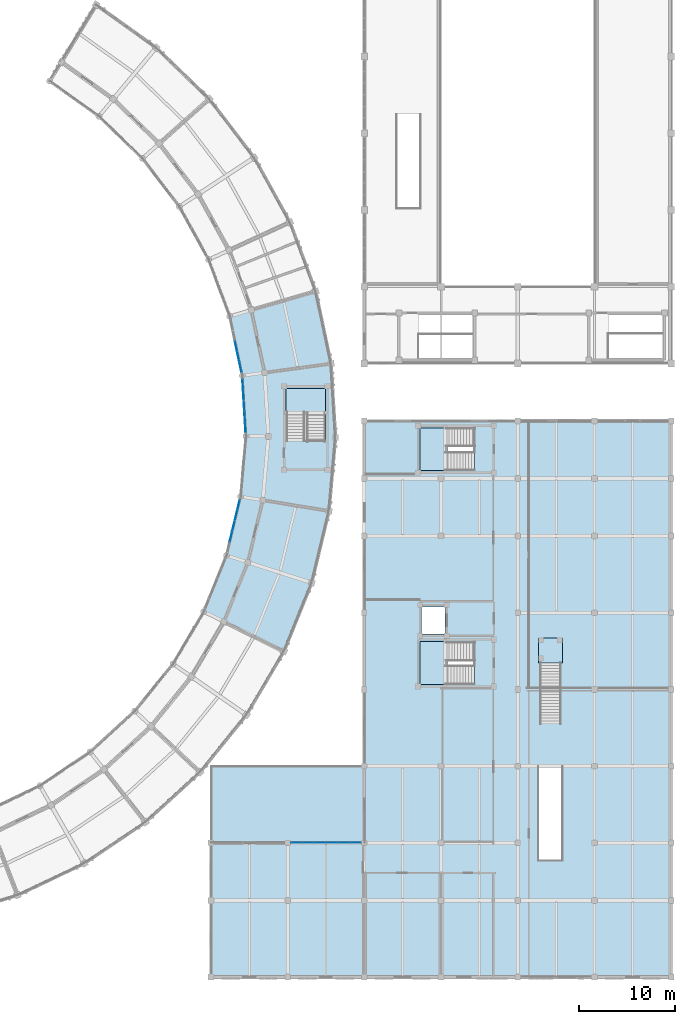
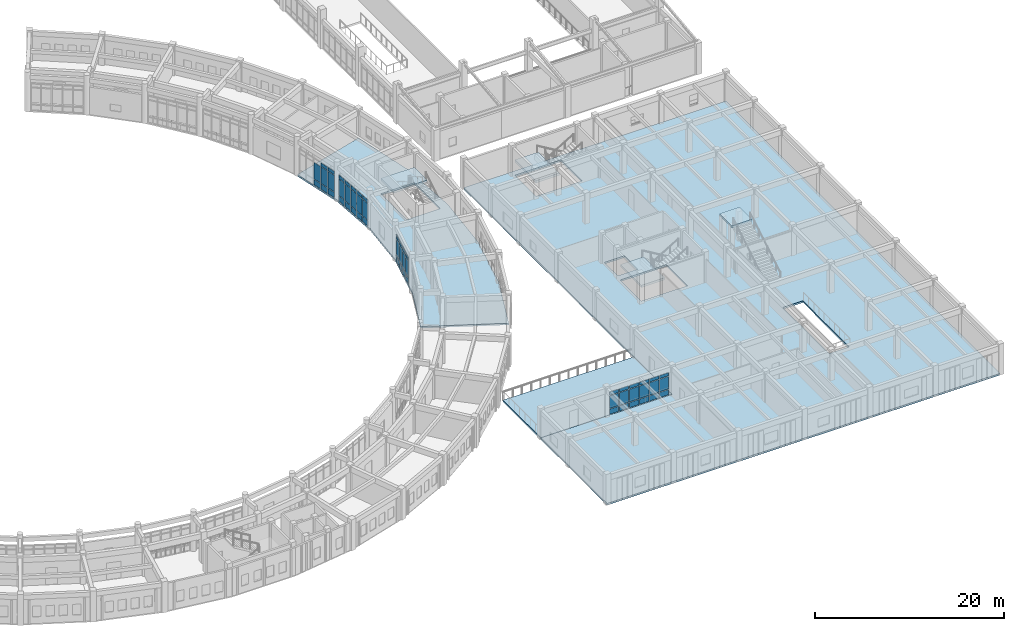
# One storey, part 112 of 159: 53 plates, 7 slabs, 8 elements without a shape of their own.
"""IFC4 building model written with IfcOpenShell, lengths in metres."""

from ifc_helpers import new_model, si_unit, direction, frame, origin, origin_2d, place, context, subcontext, project, spatial, polyline, rectangle, outline, extrude, material, layer, layer_set, type_object, element, aggregate, save


model = new_model("IFC4")

# Units and contexts
model_context = context("Model", 3, precision=1e-05, world=origin(), true_north=direction((0.0, 1.0)))
body_context = subcontext(model_context, "Body", "Model", "MODEL_VIEW")
ifc_project = project(units=[si_unit("LENGTHUNIT", "METRE"), si_unit("AREAUNIT", "SQUARE_METRE"), si_unit("VOLUMEUNIT", "CUBIC_METRE"), si_unit("PLANEANGLEUNIT", "RADIAN"), si_unit("MASSUNIT", "GRAM", prefix="KILO")], contexts=[model_context])

# Site, building, storey
site_placement = place(None, origin())
site = spatial("IfcSite", under=ifc_project, at=site_placement, CompositionType="ELEMENT")
building_placement = place(site_placement, origin())
building = spatial("IfcBuilding", under=site, at=building_placement, Name="Celadon Cloister-Ring School", CompositionType="ELEMENT")
storey_placement = place(building_placement, frame((0.0, 0.0, 4.5)))
storey = spatial("IfcBuildingStorey", under=building, at=storey_placement, Name="L01", CompositionType="ELEMENT", Elevation=4.5)

# Curtain wall, plates
ifc_material_1 = material(Name="Aluminium EN AW-6063 T6", Category="aluminium")
curtain_wall_type_1 = type_object("IfcCurtainWallType", Name="CW-11", PredefinedType="USERDEFINED", material=ifc_material_1)
curtain_wall_1_placement = place(storey_placement, origin())
curtain_wall_1 = element("IfcCurtainWall", 1, at=curtain_wall_1_placement, inside=storey, type_object=curtain_wall_type_1, Name="Curtain Wall 0190", ObjectType="CURTAIN WALL", PredefinedType="USERDEFINED")
ifc_material_2 = material(Name="Tempered laminated insulating glass", Category="glass")
ifc_layer_1 = layer(ifc_material_2, 0.02001953125)
ifc_layer_set_1 = layer_set([ifc_layer_1], Name="Tempered laminated insulating glass")
plate_type_1 = type_object("IfcPlateType", Name="CPN-01", PredefinedType="CURTAIN_PANEL", material=ifc_layer_set_1)
plate_1_placement = place(storey_placement, frame((134.9404296875, 16.0, 0.090087890625), z_axis=(0.0, 0.0, 1.0), x_axis=(1.0, 0.0, 0.0)))
plate_1 = element("IfcPlate", 2, at=plate_1_placement, type_object=plate_type_1, Name="CW-11 panel 1.1", PredefinedType="CURTAIN_PANEL", context=body_context, shape_type="SweptSolid", body=[
    extrude(rectangle(XDim=1.0908203125, YDim=0.02001953125, at=origin_2d()), origin(), (0.0, 0.0, 1.0), 0.6650390625),
])
plate_2_placement = place(storey_placement, frame((134.9404296875, 16.0, 0.8447265625), z_axis=(0.0, 0.0, 1.0), x_axis=(1.0, 0.0, 0.0)))
plate_2 = element("IfcPlate", 3, at=plate_2_placement, type_object=plate_type_1, Name="CW-11 panel 1.2", PredefinedType="CURTAIN_PANEL", context=body_context, shape_type="SweptSolid", body=[
    extrude(rectangle(XDim=1.0908203125, YDim=0.02001953125, at=origin_2d()), origin(), (0.0, 0.0, 1.0), 1.612060546875),
])
plate_3_placement = place(storey_placement, frame((134.9404296875, 16.0, 2.546875), z_axis=(0.0, 0.0, 1.0), x_axis=(1.0, 0.0, 0.0)))
plate_3 = element("IfcPlate", 4, at=plate_3_placement, type_object=plate_type_1, Name="CW-11 panel 1.3", PredefinedType="CURTAIN_PANEL", context=body_context, shape_type="SweptSolid", body=[
    extrude(rectangle(XDim=1.0908203125, YDim=0.02001953125, at=origin_2d()), origin(), (0.0, 0.0, 1.0), 0.4150390625),
])
plate_4_placement = place(storey_placement, frame((136.14990234375, 16.0, 0.090087890625), z_axis=(0.0, 0.0, 1.0), x_axis=(1.0, 0.0, 0.0)))
plate_4 = element("IfcPlate", 5, at=plate_4_placement, type_object=plate_type_1, Name="CW-11 panel 2.1", PredefinedType="CURTAIN_PANEL", context=body_context, shape_type="SweptSolid", body=[
    extrude(rectangle(XDim=1.138427734375, YDim=0.02001953125, at=origin_2d()), origin(), (0.0, 0.0, 1.0), 0.6650390625),
])
plate_5_placement = place(storey_placement, frame((136.14990234375, 16.0, 0.8447265625), z_axis=(0.0, 0.0, 1.0), x_axis=(1.0, 0.0, 0.0)))
plate_5 = element("IfcPlate", 6, at=plate_5_placement, type_object=plate_type_1, Name="CW-11 panel 2.2", PredefinedType="CURTAIN_PANEL", context=body_context, shape_type="SweptSolid", body=[
    extrude(rectangle(XDim=1.138427734375, YDim=0.02001953125, at=origin_2d()), origin(), (0.0, 0.0, 1.0), 1.612060546875),
])
plate_6_placement = place(storey_placement, frame((136.14990234375, 16.0, 2.546875), z_axis=(0.0, 0.0, 1.0), x_axis=(1.0, 0.0, 0.0)))
plate_6 = element("IfcPlate", 7, at=plate_6_placement, type_object=plate_type_1, Name="CW-11 panel 2.3", PredefinedType="CURTAIN_PANEL", context=body_context, shape_type="SweptSolid", body=[
    extrude(rectangle(XDim=1.138427734375, YDim=0.02001953125, at=origin_2d()), origin(), (0.0, 0.0, 1.0), 0.4150390625),
])
plate_7_placement = place(storey_placement, frame((137.38330078125, 16.0, 0.090087890625), z_axis=(0.0, 0.0, 1.0), x_axis=(1.0, 0.0, 0.0)))
plate_7 = element("IfcPlate", 8, at=plate_7_placement, type_object=plate_type_1, Name="CW-11 panel 3.1", PredefinedType="CURTAIN_PANEL", context=body_context, shape_type="SweptSolid", body=[
    extrude(rectangle(XDim=1.138427734375, YDim=0.02001953125, at=origin_2d()), origin(), (0.0, 0.0, 1.0), 0.6650390625),
])
plate_8_placement = place(storey_placement, frame((137.38330078125, 16.0, 0.8447265625), z_axis=(0.0, 0.0, 1.0), x_axis=(1.0, 0.0, 0.0)))
plate_8 = element("IfcPlate", 9, at=plate_8_placement, type_object=plate_type_1, Name="CW-11 panel 3.2", PredefinedType="CURTAIN_PANEL", context=body_context, shape_type="SweptSolid", body=[
    extrude(rectangle(XDim=1.138427734375, YDim=0.02001953125, at=origin_2d()), origin(), (0.0, 0.0, 1.0), 1.612060546875),
])
plate_9_placement = place(storey_placement, frame((137.38330078125, 16.0, 2.546875), z_axis=(0.0, 0.0, 1.0), x_axis=(1.0, 0.0, 0.0)))
plate_9 = element("IfcPlate", 10, at=plate_9_placement, type_object=plate_type_1, Name="CW-11 panel 3.3", PredefinedType="CURTAIN_PANEL", context=body_context, shape_type="SweptSolid", body=[
    extrude(rectangle(XDim=1.138427734375, YDim=0.02001953125, at=origin_2d()), origin(), (0.0, 0.0, 1.0), 0.4150390625),
])
plate_10_placement = place(storey_placement, frame((138.61669921875, 16.0, 0.090087890625), z_axis=(0.0, 0.0, 1.0), x_axis=(1.0, 0.0, 0.0)))
plate_10 = element("IfcPlate", 11, at=plate_10_placement, type_object=plate_type_1, Name="CW-11 panel 4.1", PredefinedType="CURTAIN_PANEL", context=body_context, shape_type="SweptSolid", body=[
    extrude(rectangle(XDim=1.138427734375, YDim=0.02001953125, at=origin_2d()), origin(), (0.0, 0.0, 1.0), 0.6650390625),
])
plate_11_placement = place(storey_placement, frame((138.61669921875, 16.0, 0.8447265625), z_axis=(0.0, 0.0, 1.0), x_axis=(1.0, 0.0, 0.0)))
plate_11 = element("IfcPlate", 12, at=plate_11_placement, type_object=plate_type_1, Name="CW-11 panel 4.2", PredefinedType="CURTAIN_PANEL", context=body_context, shape_type="SweptSolid", body=[
    extrude(rectangle(XDim=1.138427734375, YDim=0.02001953125, at=origin_2d()), origin(), (0.0, 0.0, 1.0), 1.612060546875),
])
plate_12_placement = place(storey_placement, frame((138.61669921875, 16.0, 2.546875), z_axis=(0.0, 0.0, 1.0), x_axis=(1.0, 0.0, 0.0)))
plate_12 = element("IfcPlate", 13, at=plate_12_placement, type_object=plate_type_1, Name="CW-11 panel 4.3", PredefinedType="CURTAIN_PANEL", context=body_context, shape_type="SweptSolid", body=[
    extrude(rectangle(XDim=1.138427734375, YDim=0.02001953125, at=origin_2d()), origin(), (0.0, 0.0, 1.0), 0.4150390625),
])
plate_13_placement = place(storey_placement, frame((139.85009765625, 16.0, 0.090087890625), z_axis=(0.0, 0.0, 1.0), x_axis=(1.0, 0.0, 0.0)))
plate_13 = element("IfcPlate", 14, at=plate_13_placement, type_object=plate_type_1, Name="CW-11 panel 5.1", PredefinedType="CURTAIN_PANEL", context=body_context, shape_type="SweptSolid", body=[
    extrude(rectangle(XDim=1.138427734375, YDim=0.02001953125, at=origin_2d()), origin(), (0.0, 0.0, 1.0), 0.6650390625),
])
plate_14_placement = place(storey_placement, frame((139.85009765625, 16.0, 0.8447265625), z_axis=(0.0, 0.0, 1.0), x_axis=(1.0, 0.0, 0.0)))
plate_14 = element("IfcPlate", 15, at=plate_14_placement, type_object=plate_type_1, Name="CW-11 panel 5.2", PredefinedType="CURTAIN_PANEL", context=body_context, shape_type="SweptSolid", body=[
    extrude(rectangle(XDim=1.138427734375, YDim=0.02001953125, at=origin_2d()), origin(), (0.0, 0.0, 1.0), 1.612060546875),
])
plate_15_placement = place(storey_placement, frame((139.85009765625, 16.0, 2.546875), z_axis=(0.0, 0.0, 1.0), x_axis=(1.0, 0.0, 0.0)))
plate_15 = element("IfcPlate", 16, at=plate_15_placement, type_object=plate_type_1, Name="CW-11 panel 5.3", PredefinedType="CURTAIN_PANEL", context=body_context, shape_type="SweptSolid", body=[
    extrude(rectangle(XDim=1.138427734375, YDim=0.02001953125, at=origin_2d()), origin(), (0.0, 0.0, 1.0), 0.4150390625),
])
plate_16_placement = place(storey_placement, frame((141.0595703125, 16.0, 0.090087890625), z_axis=(0.0, 0.0, 1.0), x_axis=(1.0, 0.0, 0.0)))
plate_16 = element("IfcPlate", 17, at=plate_16_placement, type_object=plate_type_1, Name="CW-11 panel 6.1", PredefinedType="CURTAIN_PANEL", context=body_context, shape_type="SweptSolid", body=[
    extrude(rectangle(XDim=1.0908203125, YDim=0.02001953125, at=origin_2d()), origin(), (0.0, 0.0, 1.0), 0.6650390625),
])
plate_17_placement = place(storey_placement, frame((141.0595703125, 16.0, 0.8447265625), z_axis=(0.0, 0.0, 1.0), x_axis=(1.0, 0.0, 0.0)))
plate_17 = element("IfcPlate", 18, at=plate_17_placement, type_object=plate_type_1, Name="CW-11 panel 6.2", PredefinedType="CURTAIN_PANEL", context=body_context, shape_type="SweptSolid", body=[
    extrude(rectangle(XDim=1.0908203125, YDim=0.02001953125, at=origin_2d()), origin(), (0.0, 0.0, 1.0), 1.612060546875),
])
plate_18_placement = place(storey_placement, frame((141.0595703125, 16.0, 2.546875), z_axis=(0.0, 0.0, 1.0), x_axis=(1.0, 0.0, 0.0)))
plate_18 = element("IfcPlate", 19, at=plate_18_placement, type_object=plate_type_1, Name="CW-11 panel 6.3", PredefinedType="CURTAIN_PANEL", context=body_context, shape_type="SweptSolid", body=[
    extrude(rectangle(XDim=1.0908203125, YDim=0.02001953125, at=origin_2d()), origin(), (0.0, 0.0, 1.0), 0.4150390625),
])
aggregate(curtain_wall_1, [plate_1, plate_2, plate_3, plate_4, plate_5, plate_6, plate_7, plate_8, plate_9, plate_10, plate_11, plate_12, plate_13, plate_14, plate_15, plate_16, plate_17, plate_18])

ifc_material_3 = material(Name="Aluminium EN AW-6063 T6", Category="aluminium")
curtain_wall_type_2 = type_object("IfcCurtainWallType", Name="CW-01", PredefinedType="USERDEFINED", material=ifc_material_3)
curtain_wall_2_placement = place(storey_placement, origin())
curtain_wall_2 = element("IfcCurtainWall", 20, at=curtain_wall_2_placement, inside=storey, type_object=curtain_wall_type_2, Name="Curtain Wall 0038", ObjectType="CURTAIN WALL", PredefinedType="USERDEFINED")
ifc_material_4 = material(Name="Tempered laminated insulating glass", Category="glass")
ifc_layer_2 = layer(ifc_material_4, 0.028076171875)
ifc_layer_set_2 = layer_set([ifc_layer_2], Name="Tempered laminated insulating glass")
plate_type_2 = type_object("IfcPlateType", Name="CPN-02", PredefinedType="CURTAIN_PANEL", material=ifc_layer_set_2)
plate_19_placement = place(storey_placement, frame((128.086181640625, 47.9423828125, 0.074951171875), z_axis=(0.0, 0.0, 1.0), x_axis=(0.234100157469, 0.972212485146, 0.0)))
plate_19 = element("IfcPlate", 21, at=plate_19_placement, type_object=plate_type_2, Name="CW-01 panel 2.1", PredefinedType="CURTAIN_PANEL", context=body_context, shape_type="SweptSolid", body=[
    extrude(rectangle(XDim=1.0537109375, YDim=0.028076171875, at=origin_2d()), origin(), (0.0, 0.0, 1.0), 0.6875),
])
plate_20_placement = place(storey_placement, frame((128.086181640625, 47.9423828125, 0.83740234375), z_axis=(0.0, 0.0, 1.0), x_axis=(0.234100157469, 0.972212485146, 0.0)))
plate_20 = element("IfcPlate", 22, at=plate_20_placement, type_object=plate_type_2, Name="CW-01 panel 2.2", PredefinedType="CURTAIN_PANEL", context=body_context, shape_type="SweptSolid", body=[
    extrude(rectangle(XDim=1.0537109375, YDim=0.028076171875, at=origin_2d()), origin(), (0.0, 0.0, 1.0), 2.125),
])
plate_21_placement = place(storey_placement, frame((128.086181640625, 47.9423828125, 3.03759765625), z_axis=(0.0, 0.0, 1.0), x_axis=(0.234100157469, 0.972212485146, 0.0)))
plate_21 = element("IfcPlate", 23, at=plate_21_placement, type_object=plate_type_2, Name="CW-01 panel 2.3", PredefinedType="CURTAIN_PANEL", context=body_context, shape_type="SweptSolid", body=[
    extrude(rectangle(XDim=1.0537109375, YDim=0.028076171875, at=origin_2d()), origin(), (0.0, 0.0, 1.0), 0.4375),
])
plate_22_placement = place(storey_placement, frame((128.3515625, 49.04443359375, 0.074951171875), z_axis=(0.0, 0.0, 1.0), x_axis=(0.234100157469, 0.972212485146, 0.0)))
plate_22 = element("IfcPlate", 24, at=plate_22_placement, type_object=plate_type_2, Name="CW-01 panel 3.1", PredefinedType="CURTAIN_PANEL", context=body_context, shape_type="SweptSolid", body=[
    extrude(rectangle(XDim=1.0537109375, YDim=0.028076171875, at=origin_2d()), origin(), (0.0, 0.0, 1.0), 0.6875),
])
plate_23_placement = place(storey_placement, frame((128.3515625, 49.04443359375, 0.83740234375), z_axis=(0.0, 0.0, 1.0), x_axis=(0.234100157469, 0.972212485146, 0.0)))
plate_23 = element("IfcPlate", 25, at=plate_23_placement, type_object=plate_type_2, Name="CW-01 panel 3.2", PredefinedType="CURTAIN_PANEL", context=body_context, shape_type="SweptSolid", body=[
    extrude(rectangle(XDim=1.0537109375, YDim=0.028076171875, at=origin_2d()), origin(), (0.0, 0.0, 1.0), 2.125),
])
plate_24_placement = place(storey_placement, frame((128.3515625, 49.04443359375, 3.03759765625), z_axis=(0.0, 0.0, 1.0), x_axis=(0.234100157469, 0.972212485146, 0.0)))
plate_24 = element("IfcPlate", 26, at=plate_24_placement, type_object=plate_type_2, Name="CW-01 panel 3.3", PredefinedType="CURTAIN_PANEL", context=body_context, shape_type="SweptSolid", body=[
    extrude(rectangle(XDim=1.0537109375, YDim=0.028076171875, at=origin_2d()), origin(), (0.0, 0.0, 1.0), 0.4375),
])
plate_25_placement = place(storey_placement, frame((128.616943359375, 50.146728515625, 0.074951171875), z_axis=(0.0, 0.0, 1.0), x_axis=(0.234100157469, 0.972212485146, 0.0)))
plate_25 = element("IfcPlate", 27, at=plate_25_placement, type_object=plate_type_2, Name="CW-01 panel 4.1", PredefinedType="CURTAIN_PANEL", context=body_context, shape_type="SweptSolid", body=[
    extrude(rectangle(XDim=1.0537109375, YDim=0.028076171875, at=origin_2d()), origin(), (0.0, 0.0, 1.0), 0.6875),
])
plate_26_placement = place(storey_placement, frame((128.616943359375, 50.146728515625, 0.83740234375), z_axis=(0.0, 0.0, 1.0), x_axis=(0.234100157469, 0.972212485146, 0.0)))
plate_26 = element("IfcPlate", 28, at=plate_26_placement, type_object=plate_type_2, Name="CW-01 panel 4.2", PredefinedType="CURTAIN_PANEL", context=body_context, shape_type="SweptSolid", body=[
    extrude(rectangle(XDim=1.0537109375, YDim=0.028076171875, at=origin_2d()), origin(), (0.0, 0.0, 1.0), 2.125),
])
plate_27_placement = place(storey_placement, frame((128.616943359375, 50.146728515625, 3.03759765625), z_axis=(0.0, 0.0, 1.0), x_axis=(0.234100157469, 0.972212485146, 0.0)))
plate_27 = element("IfcPlate", 29, at=plate_27_placement, type_object=plate_type_2, Name="CW-01 panel 4.3", PredefinedType="CURTAIN_PANEL", context=body_context, shape_type="SweptSolid", body=[
    extrude(rectangle(XDim=1.0537109375, YDim=0.028076171875, at=origin_2d()), origin(), (0.0, 0.0, 1.0), 0.4375),
])
plate_28_placement = place(storey_placement, frame((128.877685546875, 51.2294921875, 0.074951171875), z_axis=(0.0, 0.0, 1.0), x_axis=(0.234100157469, 0.972212485146, 0.0)))
plate_28 = element("IfcPlate", 30, at=plate_28_placement, type_object=plate_type_2, Name="CW-01 panel 5.1", PredefinedType="CURTAIN_PANEL", context=body_context, shape_type="SweptSolid", body=[
    extrude(rectangle(XDim=1.013671875, YDim=0.028076171875, at=origin_2d()), origin(), (0.0, 0.0, 1.0), 0.6875),
])
plate_29_placement = place(storey_placement, frame((128.877685546875, 51.2294921875, 0.83740234375), z_axis=(0.0, 0.0, 1.0), x_axis=(0.234100157469, 0.972212485146, 0.0)))
plate_29 = element("IfcPlate", 31, at=plate_29_placement, type_object=plate_type_2, Name="CW-01 panel 5.2", PredefinedType="CURTAIN_PANEL", context=body_context, shape_type="SweptSolid", body=[
    extrude(rectangle(XDim=1.013671875, YDim=0.028076171875, at=origin_2d()), origin(), (0.0, 0.0, 1.0), 2.125),
])
plate_30_placement = place(storey_placement, frame((128.877685546875, 51.2294921875, 3.03759765625), z_axis=(0.0, 0.0, 1.0), x_axis=(0.234100157469, 0.972212485146, 0.0)))
plate_30 = element("IfcPlate", 32, at=plate_30_placement, type_object=plate_type_2, Name="CW-01 panel 5.3", PredefinedType="CURTAIN_PANEL", context=body_context, shape_type="SweptSolid", body=[
    extrude(rectangle(XDim=1.013671875, YDim=0.028076171875, at=origin_2d()), origin(), (0.0, 0.0, 1.0), 0.4375),
])
aggregate(curtain_wall_2, [plate_19, plate_20, plate_21, plate_22, plate_23, plate_24, plate_25, plate_26, plate_27, plate_28, plate_29, plate_30])

curtain_wall_3_placement = place(storey_placement, origin())
curtain_wall_3 = element("IfcCurtainWall", 33, at=curtain_wall_3_placement, inside=storey, type_object=curtain_wall_type_2, Name="Curtain Wall 0039", ObjectType="CURTAIN WALL", PredefinedType="USERDEFINED")
plate_31_placement = place(storey_placement, frame((129.590576171875, 59.31982421875, 0.074951171875), z_axis=(0.0, 0.0, 1.0), x_axis=(-0.060148893965, 0.998189416171, 0.0)))
plate_31 = element("IfcPlate", 34, at=plate_31_placement, type_object=plate_type_2, Name="CW-01 panel 1.1", PredefinedType="CURTAIN_PANEL", context=body_context, shape_type="SweptSolid", body=[
    extrude(rectangle(XDim=1.013916015625, YDim=0.028076171875, at=origin_2d()), origin(), (0.0, 0.0, 1.0), 0.6875),
])
plate_32_placement = place(storey_placement, frame((129.590576171875, 59.31982421875, 0.83740234375), z_axis=(0.0, 0.0, 1.0), x_axis=(-0.060148893965, 0.998189416171, 0.0)))
plate_32 = element("IfcPlate", 35, at=plate_32_placement, type_object=plate_type_2, Name="CW-01 panel 1.2", PredefinedType="CURTAIN_PANEL", context=body_context, shape_type="SweptSolid", body=[
    extrude(rectangle(XDim=1.013916015625, YDim=0.028076171875, at=origin_2d()), origin(), (0.0, 0.0, 1.0), 2.125),
])
plate_33_placement = place(storey_placement, frame((129.590576171875, 59.31982421875, 3.03759765625), z_axis=(0.0, 0.0, 1.0), x_axis=(-0.060148893965, 0.998189416171, 0.0)))
plate_33 = element("IfcPlate", 36, at=plate_33_placement, type_object=plate_type_2, Name="CW-01 panel 1.3", PredefinedType="CURTAIN_PANEL", context=body_context, shape_type="SweptSolid", body=[
    extrude(rectangle(XDim=1.013916015625, YDim=0.028076171875, at=origin_2d()), origin(), (0.0, 0.0, 1.0), 0.4375),
])
plate_34_placement = place(storey_placement, frame((129.523681640625, 60.431640625, 0.074951171875), z_axis=(0.0, 0.0, 1.0), x_axis=(-0.060148893965, 0.998189416171, 0.0)))
plate_34 = element("IfcPlate", 37, at=plate_34_placement, type_object=plate_type_2, Name="CW-01 panel 2.1", PredefinedType="CURTAIN_PANEL", context=body_context, shape_type="SweptSolid", body=[
    extrude(rectangle(XDim=1.053955078125, YDim=0.028076171875, at=origin_2d()), origin(), (0.0, 0.0, 1.0), 0.6875),
])
plate_35_placement = place(storey_placement, frame((129.523681640625, 60.431640625, 0.83740234375), z_axis=(0.0, 0.0, 1.0), x_axis=(-0.060148893965, 0.998189416171, 0.0)))
plate_35 = element("IfcPlate", 38, at=plate_35_placement, type_object=plate_type_2, Name="CW-01 panel 2.2", PredefinedType="CURTAIN_PANEL", context=body_context, shape_type="SweptSolid", body=[
    extrude(rectangle(XDim=1.053955078125, YDim=0.028076171875, at=origin_2d()), origin(), (0.0, 0.0, 1.0), 2.125),
])
plate_36_placement = place(storey_placement, frame((129.523681640625, 60.431640625, 3.03759765625), z_axis=(0.0, 0.0, 1.0), x_axis=(-0.060148893965, 0.998189416171, 0.0)))
plate_36 = element("IfcPlate", 39, at=plate_36_placement, type_object=plate_type_2, Name="CW-01 panel 2.3", PredefinedType="CURTAIN_PANEL", context=body_context, shape_type="SweptSolid", body=[
    extrude(rectangle(XDim=1.053955078125, YDim=0.028076171875, at=origin_2d()), origin(), (0.0, 0.0, 1.0), 0.4375),
])
plate_37_placement = place(storey_placement, frame((129.45556640625, 61.5634765625, 0.074951171875), z_axis=(0.0, 0.0, 1.0), x_axis=(-0.060148893965, 0.998189416171, 0.0)))
plate_37 = element("IfcPlate", 40, at=plate_37_placement, type_object=plate_type_2, Name="CW-01 panel 3.1", PredefinedType="CURTAIN_PANEL", context=body_context, shape_type="SweptSolid", body=[
    extrude(rectangle(XDim=1.053955078125, YDim=0.028076171875, at=origin_2d()), origin(), (0.0, 0.0, 1.0), 0.6875),
])
plate_38_placement = place(storey_placement, frame((129.45556640625, 61.5634765625, 0.83740234375), z_axis=(0.0, 0.0, 1.0), x_axis=(-0.060148893965, 0.998189416171, 0.0)))
plate_38 = element("IfcPlate", 41, at=plate_38_placement, type_object=plate_type_2, Name="CW-01 panel 3.2", PredefinedType="CURTAIN_PANEL", context=body_context, shape_type="SweptSolid", body=[
    extrude(rectangle(XDim=1.053955078125, YDim=0.028076171875, at=origin_2d()), origin(), (0.0, 0.0, 1.0), 2.125),
])
plate_39_placement = place(storey_placement, frame((129.45556640625, 61.5634765625, 3.03759765625), z_axis=(0.0, 0.0, 1.0), x_axis=(-0.060148893965, 0.998189416171, 0.0)))
plate_39 = element("IfcPlate", 42, at=plate_39_placement, type_object=plate_type_2, Name="CW-01 panel 3.3", PredefinedType="CURTAIN_PANEL", context=body_context, shape_type="SweptSolid", body=[
    extrude(rectangle(XDim=1.053955078125, YDim=0.028076171875, at=origin_2d()), origin(), (0.0, 0.0, 1.0), 0.4375),
])
plate_40_placement = place(storey_placement, frame((129.38720703125, 62.6953125, 0.074951171875), z_axis=(0.0, 0.0, 1.0), x_axis=(-0.060148893965, 0.998189416171, 0.0)))
plate_40 = element("IfcPlate", 43, at=plate_40_placement, type_object=plate_type_2, Name="CW-01 panel 4.1", PredefinedType="CURTAIN_PANEL", context=body_context, shape_type="SweptSolid", body=[
    extrude(rectangle(XDim=1.053955078125, YDim=0.028076171875, at=origin_2d()), origin(), (0.0, 0.0, 1.0), 0.6875),
])
plate_41_placement = place(storey_placement, frame((129.38720703125, 62.6953125, 0.83740234375), z_axis=(0.0, 0.0, 1.0), x_axis=(-0.060148893965, 0.998189416171, 0.0)))
plate_41 = element("IfcPlate", 44, at=plate_41_placement, type_object=plate_type_2, Name="CW-01 panel 4.2", PredefinedType="CURTAIN_PANEL", context=body_context, shape_type="SweptSolid", body=[
    extrude(rectangle(XDim=1.053955078125, YDim=0.028076171875, at=origin_2d()), origin(), (0.0, 0.0, 1.0), 2.125),
])
plate_42_placement = place(storey_placement, frame((129.38720703125, 62.6953125, 3.03759765625), z_axis=(0.0, 0.0, 1.0), x_axis=(-0.060148893965, 0.998189416171, 0.0)))
plate_42 = element("IfcPlate", 45, at=plate_42_placement, type_object=plate_type_2, Name="CW-01 panel 4.3", PredefinedType="CURTAIN_PANEL", context=body_context, shape_type="SweptSolid", body=[
    extrude(rectangle(XDim=1.053955078125, YDim=0.028076171875, at=origin_2d()), origin(), (0.0, 0.0, 1.0), 0.4375),
])
plate_43_placement = place(storey_placement, frame((129.3203125, 63.80712890625, 0.074951171875), z_axis=(0.0, 0.0, 1.0), x_axis=(-0.060148893965, 0.998189416171, 0.0)))
plate_43 = element("IfcPlate", 46, at=plate_43_placement, type_object=plate_type_2, Name="CW-01 panel 5.1", PredefinedType="CURTAIN_PANEL", context=body_context, shape_type="SweptSolid", body=[
    extrude(rectangle(XDim=1.013916015625, YDim=0.028076171875, at=origin_2d()), origin(), (0.0, 0.0, 1.0), 0.6875),
])
plate_44_placement = place(storey_placement, frame((129.3203125, 63.80712890625, 0.83740234375), z_axis=(0.0, 0.0, 1.0), x_axis=(-0.060148893965, 0.998189416171, 0.0)))
plate_44 = element("IfcPlate", 47, at=plate_44_placement, type_object=plate_type_2, Name="CW-01 panel 5.2", PredefinedType="CURTAIN_PANEL", context=body_context, shape_type="SweptSolid", body=[
    extrude(rectangle(XDim=1.013916015625, YDim=0.028076171875, at=origin_2d()), origin(), (0.0, 0.0, 1.0), 2.125),
])
plate_45_placement = place(storey_placement, frame((129.3203125, 63.80712890625, 3.03759765625), z_axis=(0.0, 0.0, 1.0), x_axis=(-0.060148893965, 0.998189416171, 0.0)))
plate_45 = element("IfcPlate", 48, at=plate_45_placement, type_object=plate_type_2, Name="CW-01 panel 5.3", PredefinedType="CURTAIN_PANEL", context=body_context, shape_type="SweptSolid", body=[
    extrude(rectangle(XDim=1.013916015625, YDim=0.028076171875, at=origin_2d()), origin(), (0.0, 0.0, 1.0), 0.4375),
])
aggregate(curtain_wall_3, [plate_31, plate_32, plate_33, plate_34, plate_35, plate_36, plate_37, plate_38, plate_39, plate_40, plate_41, plate_42, plate_43, plate_44, plate_45])

curtain_wall_4_placement = place(storey_placement, origin())
curtain_wall_4 = element("IfcCurtainWall", 49, at=curtain_wall_4_placement, inside=storey, type_object=curtain_wall_type_2, Name="Curtain Wall 0040", ObjectType="CURTAIN WALL", PredefinedType="USERDEFINED")
plate_46_placement = place(storey_placement, frame((129.076416015625, 65.609130859375, 0.074951171875), z_axis=(0.0, 0.0, 1.0), x_axis=(-0.207094964304, 0.978320844999, 0.0)))
plate_46 = element("IfcPlate", 50, at=plate_46_placement, type_object=plate_type_2, Name="CW-01 panel 1.1", PredefinedType="CURTAIN_PANEL", context=body_context, shape_type="SweptSolid", body=[
    extrude(rectangle(XDim=1.013671875, YDim=0.028076171875, at=origin_2d()), origin(), (0.0, 0.0, 1.0), 0.6875),
])
plate_47_placement = place(storey_placement, frame((129.076416015625, 65.609130859375, 0.83740234375), z_axis=(0.0, 0.0, 1.0), x_axis=(-0.207094964304, 0.978320844999, 0.0)))
plate_47 = element("IfcPlate", 51, at=plate_47_placement, type_object=plate_type_2, Name="CW-01 panel 1.2", PredefinedType="CURTAIN_PANEL", context=body_context, shape_type="SweptSolid", body=[
    extrude(rectangle(XDim=1.013671875, YDim=0.028076171875, at=origin_2d()), origin(), (0.0, 0.0, 1.0), 2.125),
])
plate_48_placement = place(storey_placement, frame((129.076416015625, 65.609130859375, 3.03759765625), z_axis=(0.0, 0.0, 1.0), x_axis=(-0.207094964304, 0.978320844999, 0.0)))
plate_48 = element("IfcPlate", 52, at=plate_48_placement, type_object=plate_type_2, Name="CW-01 panel 1.3", PredefinedType="CURTAIN_PANEL", context=body_context, shape_type="SweptSolid", body=[
    extrude(rectangle(XDim=1.013671875, YDim=0.028076171875, at=origin_2d()), origin(), (0.0, 0.0, 1.0), 0.4375),
])
plate_49_placement = place(storey_placement, frame((128.845703125, 66.69873046875, 0.074951171875), z_axis=(0.0, 0.0, 1.0), x_axis=(-0.207094964304, 0.978320844999, 0.0)))
plate_49 = element("IfcPlate", 53, at=plate_49_placement, type_object=plate_type_2, Name="CW-01 panel 2.1", PredefinedType="CURTAIN_PANEL", context=body_context, shape_type="SweptSolid", body=[
    extrude(rectangle(XDim=1.0537109375, YDim=0.028076171875, at=origin_2d()), origin(), (0.0, 0.0, 1.0), 0.6875),
])
plate_50_placement = place(storey_placement, frame((128.845703125, 66.69873046875, 0.83740234375), z_axis=(0.0, 0.0, 1.0), x_axis=(-0.207094964304, 0.978320844999, 0.0)))
plate_50 = element("IfcPlate", 54, at=plate_50_placement, type_object=plate_type_2, Name="CW-01 panel 2.2", PredefinedType="CURTAIN_PANEL", context=body_context, shape_type="SweptSolid", body=[
    extrude(rectangle(XDim=1.0537109375, YDim=0.028076171875, at=origin_2d()), origin(), (0.0, 0.0, 1.0), 2.125),
])
plate_51_placement = place(storey_placement, frame((128.845703125, 66.69873046875, 3.03759765625), z_axis=(0.0, 0.0, 1.0), x_axis=(-0.207094964304, 0.978320844999, 0.0)))
plate_51 = element("IfcPlate", 55, at=plate_51_placement, type_object=plate_type_2, Name="CW-01 panel 2.3", PredefinedType="CURTAIN_PANEL", context=body_context, shape_type="SweptSolid", body=[
    extrude(rectangle(XDim=1.0537109375, YDim=0.028076171875, at=origin_2d()), origin(), (0.0, 0.0, 1.0), 0.4375),
])
plate_52_placement = place(storey_placement, frame((128.611083984375, 67.80810546875, 0.074951171875), z_axis=(0.0, 0.0, 1.0), x_axis=(-0.207094964304, 0.978320844999, 0.0)))
plate_52 = element("IfcPlate", 56, at=plate_52_placement, type_object=plate_type_2, Name="CW-01 panel 3.1", PredefinedType="CURTAIN_PANEL", context=body_context, shape_type="SweptSolid", body=[
    extrude(rectangle(XDim=1.0537109375, YDim=0.028076171875, at=origin_2d()), origin(), (0.0, 0.0, 1.0), 0.6875),
])
plate_53_placement = place(storey_placement, frame((128.611083984375, 67.80810546875, 0.83740234375), z_axis=(0.0, 0.0, 1.0), x_axis=(-0.207094964304, 0.978320844999, 0.0)))
plate_53 = element("IfcPlate", 57, at=plate_53_placement, type_object=plate_type_2, Name="CW-01 panel 3.2", PredefinedType="CURTAIN_PANEL", context=body_context, shape_type="SweptSolid", body=[
    extrude(rectangle(XDim=1.0537109375, YDim=0.028076171875, at=origin_2d()), origin(), (0.0, 0.0, 1.0), 2.125),
])
aggregate(curtain_wall_4, [plate_46, plate_47, plate_48, plate_49, plate_50, plate_51, plate_52, plate_53])

# Slabs
ifc_material_5 = material(Name="Concrete C35/45", Category="concrete")
ifc_layer_3 = layer(ifc_material_5, 0.219970703125)
ifc_layer_set_3 = layer_set([ifc_layer_3], Name="Concrete C35/45")
slab_type_1 = type_object("IfcSlabType", Name="SL-FL2", PredefinedType="FLOOR", material=ifc_layer_set_3)
slab_1_placement = place(storey_placement, frame((0.0, 0.0, -0.219970703125)))
element("IfcSlab", 58, at=slab_1_placement, inside=storey, type_object=slab_type_1, Name="Ring L01 Sector 0013", PredefinedType="FLOOR", context=body_context, shape_type="SweptSolid", body=[
    extrude(outline(polyline([(125.241943359375, 40.115966796875), (127.612060546875, 45.972900390625), (129.091064453125, 52.115966796875), (129.64599609375, 58.409912109375), (129.264892578125, 64.717041015625), (127.95703125, 70.89892578125), (136.93505859375, 73.508056640625), (138.531005859375, 65.970947265625), (138.9951171875, 58.281005859375), (138.318115234375, 50.60693359375), (136.514892578125, 43.117919921875), (133.625, 35.97705078125), (125.241943359375, 40.115966796875)]), holes=[polyline([(133.85009765625, 57.9150390625), (137.929931640625, 57.9150390625), (137.929931640625, 63.39990234375), (133.85009765625, 63.39990234375), (133.85009765625, 57.9150390625)])]), origin(), (0.0, 0.0, 1.0), 0.219970703125),
])
slab_2_placement = place(storey_placement, frame((0.0, 0.0, -0.219970703125)))
element("IfcSlab", 59, at=slab_2_placement, inside=storey, type_object=slab_type_1, Name="Workshops Floor Slab 0064", PredefinedType="FLOOR", context=body_context, shape_type="SweptSolid", body=[
    extrude(outline(polyline([(126.0, 16.0), (142.0, 16.0), (142.0, 60.0), (174.0, 60.0), (174.0, 2.0), (126.0, 2.0), (126.0, 16.0)]), holes=[polyline([(160.155029296875, 21.3701171875), (160.199951171875, 21.3701171875), (160.199951171875, 14.199951171875), (162.60009765625, 14.199951171875), (162.60009765625, 21.3701171875), (162.64501953125, 21.3701171875), (162.64501953125, 23.9951171875), (160.155029296875, 23.9951171875), (160.155029296875, 21.3701171875)]), polyline([(147.820068359375, 32.52001953125), (153.4599609375, 32.52001953125), (153.4599609375, 36.97998046875), (147.820068359375, 36.97998046875), (147.820068359375, 32.52001953125)]), polyline([(147.97998046875, 37.780029296875), (150.419921875, 37.780029296875), (150.419921875, 40.6201171875), (147.97998046875, 40.6201171875), (147.97998046875, 37.780029296875)]), polyline([(153.4599609375, 54.820068359375), (153.4599609375, 59.280029296875), (147.820068359375, 59.280029296875), (147.820068359375, 54.820068359375), (153.4599609375, 54.820068359375)])]), origin(), (0.0, 0.0, 1.0), 0.219970703125),
])

# Stair, slab
ifc_material_6 = material(Name="Concrete C35/45", Category="concrete")
stair_type_1 = type_object("IfcStairType", Name="ST-02", PredefinedType="HALF_TURN_STAIR", material=ifc_material_6)
stair_1_placement = place(storey_placement, origin())
stair_1 = element("IfcStair", 60, at=stair_1_placement, inside=storey, type_object=stair_type_1, Name="Exit Stair ST-V4A L01", PredefinedType="HALF_TURN_STAIR")
ifc_material_7 = material(Name="Concrete C35/45", Category="concrete")
ifc_layer_4 = layer(ifc_material_7, 0.280029296875)
ifc_layer_set_4 = layer_set([ifc_layer_4], Name="Concrete C35/45")
slab_type_2 = type_object("IfcSlabType", Name="SL-LD1", PredefinedType="LANDING", material=ifc_layer_set_4)
slab_3_placement = place(storey_placement, frame((0.0, 0.0, 1.719970703125)))
slab_3 = element("IfcSlab", 61, at=slab_3_placement, type_object=slab_type_2, Name="ST-02 landing 1", PredefinedType="LANDING", context=body_context, shape_type="SweptSolid", body=[
    extrude(outline(polyline([(147.820068359375, 32.52001953125), (150.669921875, 32.52001953125), (150.669921875, 36.97998046875), (147.820068359375, 36.97998046875), (147.820068359375, 32.52001953125)])), origin(), (0.0, 0.0, 1.0), 0.280029296875),
])
aggregate(stair_1, [slab_3])

ifc_material_8 = material(Name="Concrete C35/45", Category="concrete")
stair_type_2 = type_object("IfcStairType", Name="ST-04", PredefinedType="HALF_TURN_STAIR", material=ifc_material_8)
stair_2_placement = place(storey_placement, origin())
stair_2 = element("IfcStair", 62, at=stair_2_placement, inside=storey, type_object=stair_type_2, Name="Exit Stair ST-V4B L01", PredefinedType="HALF_TURN_STAIR")
ifc_material_9 = material(Name="Concrete C35/45", Category="concrete")
ifc_layer_5 = layer(ifc_material_9, 0.300048828125)
ifc_layer_set_5 = layer_set([ifc_layer_5], Name="Concrete C35/45")
slab_type_3 = type_object("IfcSlabType", Name="SL-LD2", PredefinedType="LANDING", material=ifc_layer_set_5)
slab_4_placement = place(storey_placement, frame((0.0, 0.0, 1.699951171875)))
slab_4 = element("IfcSlab", 63, at=slab_4_placement, type_object=slab_type_3, Name="ST-04 landing 1", PredefinedType="LANDING", context=body_context, shape_type="SweptSolid", body=[
    extrude(outline(polyline([(147.820068359375, 54.820068359375), (150.669921875, 54.820068359375), (150.669921875, 59.280029296875), (147.820068359375, 59.280029296875), (147.820068359375, 54.820068359375)])), origin(), (0.0, 0.0, 1.0), 0.300048828125),
])
aggregate(stair_2, [slab_4])

stair_3_placement = place(storey_placement, origin())
stair_3 = element("IfcStair", 64, at=stair_3_placement, inside=storey, type_object=stair_type_2, Name="Exit Stair ST-V1E L01", PredefinedType="HALF_TURN_STAIR")
slab_5_placement = place(storey_placement, frame((0.0, 0.0, 1.699951171875)))
slab_5 = element("IfcSlab", 65, at=slab_5_placement, type_object=slab_type_3, Name="ST-04 landing 1", PredefinedType="LANDING", context=body_context, shape_type="SweptSolid", body=[
    extrude(outline(polyline([(133.85009765625, 60.68994140625), (137.929931640625, 60.68994140625), (137.929931640625, 63.39990234375), (133.85009765625, 63.39990234375), (133.85009765625, 60.68994140625)])), origin(), (0.0, 0.0, 1.0), 0.300048828125),
])
aggregate(stair_3, [slab_5])

ifc_material_10 = material(Name="Concrete C35/45", Category="concrete")
stair_type_3 = type_object("IfcStairType", Name="ST-06", PredefinedType="STRAIGHT_RUN_STAIR", material=ifc_material_10)
stair_4_placement = place(storey_placement, origin())
stair_4 = element("IfcStair", 66, at=stair_4_placement, inside=storey, type_object=stair_type_3, Name="Play Deck Commons Stair", PredefinedType="STRAIGHT_RUN_STAIR")
slab_6_placement = place(storey_placement, frame((0.0, 0.0, 3.699951171875)))
slab_6 = element("IfcSlab", 67, at=slab_6_placement, type_object=slab_type_3, Name="ST-06 landing 1", PredefinedType="LANDING", context=body_context, shape_type="SweptSolid", body=[
    extrude(outline(polyline([(160.159912109375, 34.764892578125), (162.639892578125, 34.764892578125), (162.639892578125, 37.389892578125), (160.159912109375, 37.389892578125), (160.159912109375, 34.764892578125)])), origin(), (0.0, 0.0, 1.0), 0.300048828125),
])
aggregate(stair_4, [slab_6])

# Slab
ifc_material_11 = material(Name="Concrete C35/45", Category="concrete")
ifc_layer_6 = layer(ifc_material_11, 0.219970703125)
ifc_layer_set_6 = layer_set([ifc_layer_6], Name="Concrete C35/45")
slab_type_4 = type_object("IfcSlabType", Name="SL-TR1", PredefinedType="FLOOR", material=ifc_layer_set_6)
slab_7_placement = place(storey_placement, frame((0.0, 0.0, -0.219970703125)))
element("IfcSlab", 68, at=slab_7_placement, inside=storey, type_object=slab_type_4, Name="Dining West Veranda Terrace 0065", PredefinedType="FLOOR", context=body_context, shape_type="SweptSolid", body=[
    extrude(outline(polyline([(126.0, 16.0), (142.0, 16.0), (142.0, 24.0), (126.0, 24.0), (126.0, 16.0)])), origin(), (0.0, 0.0, 1.0), 0.219970703125),
])

save(model, "model.ifc")
